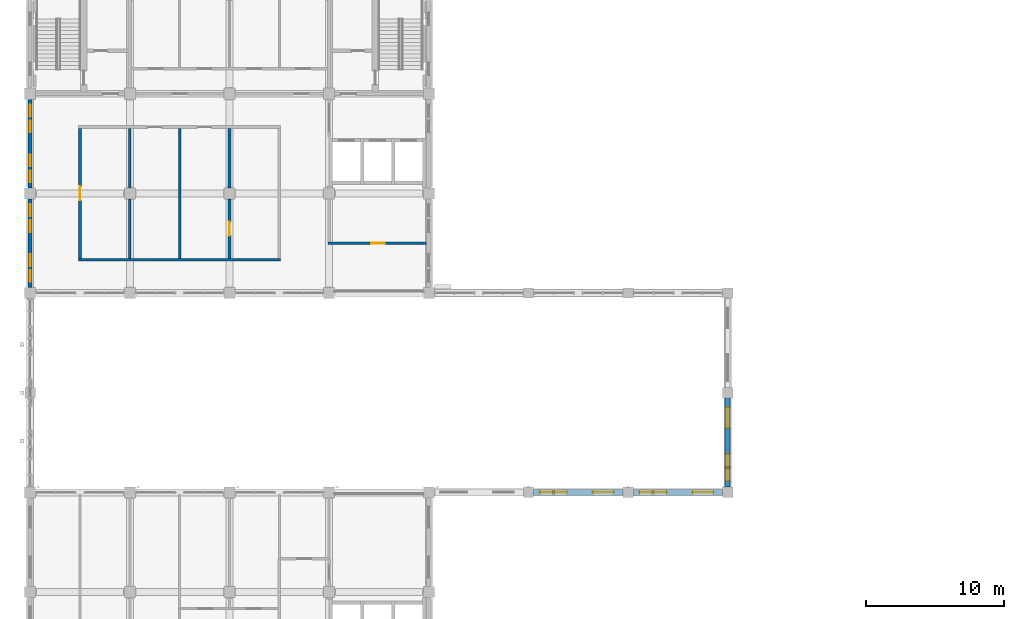
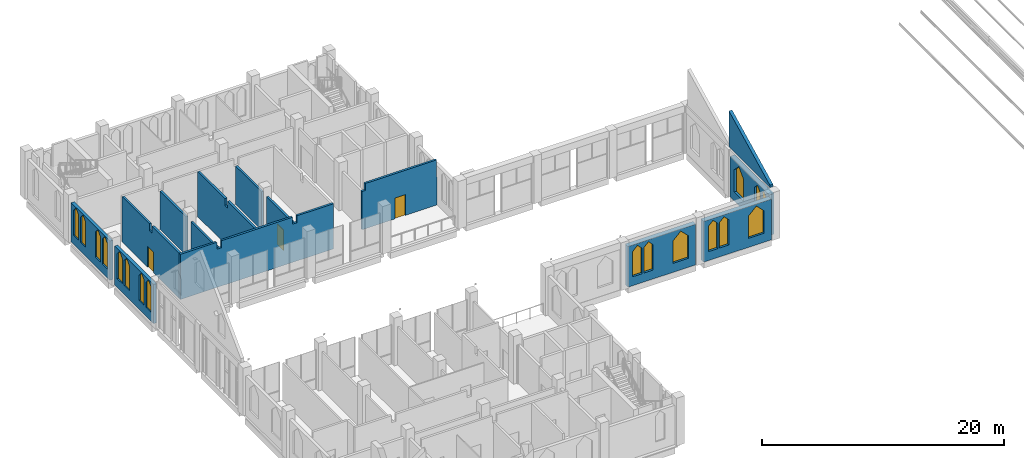
# One storey, part 21 of 31: 17 windows, 14 walls, 3 doors, 20 openings.
"""IFC4 building model written with IfcOpenShell, lengths in metres."""

from ifc_helpers import new_model, si_unit, direction, frame, frame_2d, origin, place, context, subcontext, project, spatial, polyline, rectangle, outline, extrude, material, layer, layer_set, type_object, element, fill, save


model = new_model("IFC4")

# Units and contexts
model_context = context("Model", 3, precision=1e-05, world=origin(), true_north=direction((0.0, 1.0)))
body_context = subcontext(model_context, "Body", "Model", "MODEL_VIEW")
ifc_project = project(units=[si_unit("LENGTHUNIT", "METRE"), si_unit("AREAUNIT", "SQUARE_METRE"), si_unit("VOLUMEUNIT", "CUBIC_METRE"), si_unit("PLANEANGLEUNIT", "RADIAN"), si_unit("MASSUNIT", "GRAM", prefix="KILO")], contexts=[model_context])

# Site, building, storey
site_placement = place(None, origin())
site = spatial("IfcSite", under=ifc_project, at=site_placement, CompositionType="ELEMENT")
building_placement = place(site_placement, origin())
building = spatial("IfcBuilding", under=site, at=building_placement, Name="Silangan Lancet Faculty of Sciences", CompositionType="ELEMENT")
storey_placement = place(building_placement, frame((0.0, 0.0, 36.0)))
storey = spatial("IfcBuildingStorey", under=building, at=storey_placement, Name="L07", CompositionType="ELEMENT", Elevation=36.0)

# Wall, openings, windows
ifc_material_1 = material(Name="Concrete C40/50 precast", Category="concrete")
ifc_layer_1 = layer(ifc_material_1, 0.300048828125)
ifc_layer_set_1 = layer_set([ifc_layer_1], Name="Concrete C40/50 precast")
wall_type_1 = type_object("IfcWallType", Name="EW1 Precast cladding wall", PredefinedType="STANDARD", material=ifc_layer_set_1)
wall_1_placement = place(storey_placement, frame((0.0, 36.39990234375, 0.0), z_axis=(0.0, 0.0, 1.0), x_axis=(0.0, 1.0, 0.0)))
wall_1 = element("IfcWall", 1, at=wall_1_placement, inside=storey, type_object=wall_type_1, Name="EW-L07-W-NT-00", PredefinedType="STANDARD", context=body_context, shape_type="SweptSolid", body=[
    extrude(rectangle(XDim=6.400146484375, YDim=0.300048828125, at=frame_2d((3.2001953125, 0.0))), origin(), (0.0, 0.0, 1.0), 3.949951171875),
])
opening_1_placement = place(wall_1_placement, frame((0.39990234375, 0.0, 0.89990234375)))
opening_1 = element("IfcOpeningElement", 2, at=opening_1_placement, cuts=wall_1, Name="Opening W19", PredefinedType="OPENING", context=body_context, shape_type="SweptSolid", body=[
    extrude(outline(polyline([(0.0, 0.0), (0.85009765625, 0.0), (0.85009765625, 2.550048828125), (0.425048828125, 3.0), (0.0, 2.550048828125), (0.0, 0.0)])), frame((0.0, 0.159912109375, 0.0), z_axis=(0.0, -1.0, 0.0), x_axis=(1.0, 0.0, 0.0)), (0.0, 0.0, 1.0), 0.320068359375),
])
opening_2_placement = place(wall_1_placement, frame((1.550048828125, 0.0, 0.89990234375)))
opening_2 = element("IfcOpeningElement", 3, at=opening_2_placement, cuts=wall_1, Name="Opening W19", PredefinedType="OPENING", context=body_context, shape_type="SweptSolid", body=[
    extrude(outline(polyline([(0.0, 0.0), (0.85009765625, 0.0), (0.85009765625, 2.550048828125), (0.425048828125, 3.0), (0.0, 2.550048828125), (0.0, 0.0)])), frame((0.0, 0.159912109375, 0.0), z_axis=(0.0, -1.0, 0.0), x_axis=(1.0, 0.0, 0.0)), (0.0, 0.0, 1.0), 0.320068359375),
])
opening_3_placement = place(wall_1_placement, frame((4.0, 0.0, 0.89990234375)))
opening_3 = element("IfcOpeningElement", 4, at=opening_3_placement, cuts=wall_1, Name="Opening W19", PredefinedType="OPENING", context=body_context, shape_type="SweptSolid", body=[
    extrude(outline(polyline([(0.0, 0.0), (0.85009765625, 0.0), (0.85009765625, 2.550048828125), (0.425048828125, 3.0), (0.0, 2.550048828125), (0.0, 0.0)])), frame((0.0, 0.159912109375, 0.0), z_axis=(0.0, -1.0, 0.0), x_axis=(1.0, 0.0, 0.0)), (0.0, 0.0, 1.0), 0.320068359375),
])
opening_4_placement = place(wall_1_placement, frame((5.14990234375, 0.0, 0.89990234375)))
opening_4 = element("IfcOpeningElement", 5, at=opening_4_placement, cuts=wall_1, Name="Opening W19", PredefinedType="OPENING", context=body_context, shape_type="SweptSolid", body=[
    extrude(outline(polyline([(0.0, 0.0), (0.85009765625, 0.0), (0.85009765625, 2.550048828125), (0.425048828125, 3.0), (0.0, 2.550048828125), (0.0, 0.0)])), frame((0.0, 0.159912109375, 0.0), z_axis=(0.0, -1.0, 0.0), x_axis=(1.0, 0.0, 0.0)), (0.0, 0.0, 1.0), 0.320068359375),
])
ifc_material_2 = material(Name="Aluminium frame, laminated double glazing", Category="aluminium")
window_type_1 = type_object("IfcWindowType", Name="W19 Lancet window 850 x 3000", PartitioningType="SINGLE_PANEL", PredefinedType="WINDOW", material=ifc_material_2)
window_1_placement = place(opening_1_placement, origin())
window_1 = element("IfcWindow", 6, at=window_1_placement, inside=storey, type_object=window_type_1, Name="WIN-L07-W-NT-00a1", OverallHeight=3.0, OverallWidth=0.85009765625, PartitioningType="SINGLE_PANEL", PredefinedType="WINDOW", context=body_context, shape_type="SweptSolid", body=[
    extrude(outline(polyline([(0.0, 0.0), (0.85009765625, 0.0), (0.85009765625, 2.550048828125), (0.425048828125, 3.0), (0.0, 2.550048828125), (0.0, 0.0)])), frame((0.0, 0.030029296875, 0.0), z_axis=(0.0, -1.0, 0.0), x_axis=(1.0, 0.0, 0.0)), (0.0, 0.0, 1.0), 0.06005859375),
])
fill(opening_1, window_1)
window_2_placement = place(opening_2_placement, origin())
window_2 = element("IfcWindow", 7, at=window_2_placement, inside=storey, type_object=window_type_1, Name="WIN-L07-W-NT-00a2", OverallHeight=3.0, OverallWidth=0.85009765625, PartitioningType="SINGLE_PANEL", PredefinedType="WINDOW", context=body_context, shape_type="SweptSolid", body=[
    extrude(outline(polyline([(0.0, 0.0), (0.85009765625, 0.0), (0.85009765625, 2.550048828125), (0.425048828125, 3.0), (0.0, 2.550048828125), (0.0, 0.0)])), frame((0.0, 0.030029296875, 0.0), z_axis=(0.0, -1.0, 0.0), x_axis=(1.0, 0.0, 0.0)), (0.0, 0.0, 1.0), 0.06005859375),
])
fill(opening_2, window_2)
window_3_placement = place(opening_3_placement, origin())
window_3 = element("IfcWindow", 8, at=window_3_placement, inside=storey, type_object=window_type_1, Name="WIN-L07-W-NT-00b1", OverallHeight=3.0, OverallWidth=0.85009765625, PartitioningType="SINGLE_PANEL", PredefinedType="WINDOW", context=body_context, shape_type="SweptSolid", body=[
    extrude(outline(polyline([(0.0, 0.0), (0.85009765625, 0.0), (0.85009765625, 2.550048828125), (0.425048828125, 3.0), (0.0, 2.550048828125), (0.0, 0.0)])), frame((0.0, 0.030029296875, 0.0), z_axis=(0.0, -1.0, 0.0), x_axis=(1.0, 0.0, 0.0)), (0.0, 0.0, 1.0), 0.06005859375),
])
fill(opening_3, window_3)
window_4_placement = place(opening_4_placement, origin())
window_4 = element("IfcWindow", 9, at=window_4_placement, inside=storey, type_object=window_type_1, Name="WIN-L07-W-NT-00b2", OverallHeight=3.0, OverallWidth=0.85009765625, PartitioningType="SINGLE_PANEL", PredefinedType="WINDOW", context=body_context, shape_type="SweptSolid", body=[
    extrude(outline(polyline([(0.0, 0.0), (0.85009765625, 0.0), (0.85009765625, 2.550048828125), (0.425048828125, 3.0), (0.0, 2.550048828125), (0.0, 0.0)])), frame((0.0, 0.030029296875, 0.0), z_axis=(0.0, -1.0, 0.0), x_axis=(1.0, 0.0, 0.0)), (0.0, 0.0, 1.0), 0.06005859375),
])
fill(opening_4, window_4)

wall_2_placement = place(storey_placement, frame((0.0, 43.60009765625, 0.0), z_axis=(0.0, 0.0, 1.0), x_axis=(0.0, 1.0, 0.0)))
wall_2 = element("IfcWall", 10, at=wall_2_placement, inside=storey, type_object=wall_type_1, Name="EW-L07-W-NT-01", PredefinedType="STANDARD", context=body_context, shape_type="SweptSolid", body=[
    extrude(rectangle(XDim=6.39990234375, YDim=0.300048828125, at=frame_2d((3.199951171875, 0.0))), origin(), (0.0, 0.0, 1.0), 3.949951171875),
])
opening_5_placement = place(wall_2_placement, frame((0.39990234375, 0.0, 0.89990234375)))
opening_5 = element("IfcOpeningElement", 11, at=opening_5_placement, cuts=wall_2, Name="Opening W19", PredefinedType="OPENING", context=body_context, shape_type="SweptSolid", body=[
    extrude(outline(polyline([(0.0, 0.0), (0.85009765625, 0.0), (0.85009765625, 2.550048828125), (0.425048828125, 3.0), (0.0, 2.550048828125), (0.0, 0.0)])), frame((0.0, 0.159912109375, 0.0), z_axis=(0.0, -1.0, 0.0), x_axis=(1.0, 0.0, 0.0)), (0.0, 0.0, 1.0), 0.320068359375),
])
opening_6_placement = place(wall_2_placement, frame((1.550048828125, 0.0, 0.89990234375)))
opening_6 = element("IfcOpeningElement", 12, at=opening_6_placement, cuts=wall_2, Name="Opening W19", PredefinedType="OPENING", context=body_context, shape_type="SweptSolid", body=[
    extrude(outline(polyline([(0.0, 0.0), (0.85009765625, 0.0), (0.85009765625, 2.550048828125), (0.425048828125, 3.0), (0.0, 2.550048828125), (0.0, 0.0)])), frame((0.0, 0.159912109375, 0.0), z_axis=(0.0, -1.0, 0.0), x_axis=(1.0, 0.0, 0.0)), (0.0, 0.0, 1.0), 0.320068359375),
])
opening_7_placement = place(wall_2_placement, frame((4.0, 0.0, 0.89990234375)))
opening_7 = element("IfcOpeningElement", 13, at=opening_7_placement, cuts=wall_2, Name="Opening W19", PredefinedType="OPENING", context=body_context, shape_type="SweptSolid", body=[
    extrude(outline(polyline([(0.0, 0.0), (0.85009765625, 0.0), (0.85009765625, 2.550048828125), (0.425048828125, 3.0), (0.0, 2.550048828125), (0.0, 0.0)])), frame((0.0, 0.159912109375, 0.0), z_axis=(0.0, -1.0, 0.0), x_axis=(1.0, 0.0, 0.0)), (0.0, 0.0, 1.0), 0.320068359375),
])
opening_8_placement = place(wall_2_placement, frame((5.14990234375, 0.0, 0.89990234375)))
opening_8 = element("IfcOpeningElement", 14, at=opening_8_placement, cuts=wall_2, Name="Opening W19", PredefinedType="OPENING", context=body_context, shape_type="SweptSolid", body=[
    extrude(outline(polyline([(0.0, 0.0), (0.85009765625, 0.0), (0.85009765625, 2.550048828125), (0.425048828125, 3.0), (0.0, 2.550048828125), (0.0, 0.0)])), frame((0.0, 0.159912109375, 0.0), z_axis=(0.0, -1.0, 0.0), x_axis=(1.0, 0.0, 0.0)), (0.0, 0.0, 1.0), 0.320068359375),
])
window_5_placement = place(opening_5_placement, origin())
window_5 = element("IfcWindow", 15, at=window_5_placement, inside=storey, type_object=window_type_1, Name="WIN-L07-W-NT-01a1", OverallHeight=3.0, OverallWidth=0.85009765625, PartitioningType="SINGLE_PANEL", PredefinedType="WINDOW", context=body_context, shape_type="SweptSolid", body=[
    extrude(outline(polyline([(0.0, 0.0), (0.85009765625, 0.0), (0.85009765625, 2.550048828125), (0.425048828125, 3.0), (0.0, 2.550048828125), (0.0, 0.0)])), frame((0.0, 0.030029296875, 0.0), z_axis=(0.0, -1.0, 0.0), x_axis=(1.0, 0.0, 0.0)), (0.0, 0.0, 1.0), 0.06005859375),
])
fill(opening_5, window_5)
window_6_placement = place(opening_6_placement, origin())
window_6 = element("IfcWindow", 16, at=window_6_placement, inside=storey, type_object=window_type_1, Name="WIN-L07-W-NT-01a2", OverallHeight=3.0, OverallWidth=0.85009765625, PartitioningType="SINGLE_PANEL", PredefinedType="WINDOW", context=body_context, shape_type="SweptSolid", body=[
    extrude(outline(polyline([(0.0, 0.0), (0.85009765625, 0.0), (0.85009765625, 2.550048828125), (0.425048828125, 3.0), (0.0, 2.550048828125), (0.0, 0.0)])), frame((0.0, 0.030029296875, 0.0), z_axis=(0.0, -1.0, 0.0), x_axis=(1.0, 0.0, 0.0)), (0.0, 0.0, 1.0), 0.06005859375),
])
fill(opening_6, window_6)
window_7_placement = place(opening_7_placement, origin())
window_7 = element("IfcWindow", 17, at=window_7_placement, inside=storey, type_object=window_type_1, Name="WIN-L07-W-NT-01b1", OverallHeight=3.0, OverallWidth=0.85009765625, PartitioningType="SINGLE_PANEL", PredefinedType="WINDOW", context=body_context, shape_type="SweptSolid", body=[
    extrude(outline(polyline([(0.0, 0.0), (0.85009765625, 0.0), (0.85009765625, 2.550048828125), (0.425048828125, 3.0), (0.0, 2.550048828125), (0.0, 0.0)])), frame((0.0, 0.030029296875, 0.0), z_axis=(0.0, -1.0, 0.0), x_axis=(1.0, 0.0, 0.0)), (0.0, 0.0, 1.0), 0.06005859375),
])
fill(opening_7, window_7)
window_8_placement = place(opening_8_placement, origin())
window_8 = element("IfcWindow", 18, at=window_8_placement, inside=storey, type_object=window_type_1, Name="WIN-L07-W-NT-01b2", OverallHeight=3.0, OverallWidth=0.85009765625, PartitioningType="SINGLE_PANEL", PredefinedType="WINDOW", context=body_context, shape_type="SweptSolid", body=[
    extrude(outline(polyline([(0.0, 0.0), (0.85009765625, 0.0), (0.85009765625, 2.550048828125), (0.425048828125, 3.0), (0.0, 2.550048828125), (0.0, 0.0)])), frame((0.0, 0.030029296875, 0.0), z_axis=(0.0, -1.0, 0.0), x_axis=(1.0, 0.0, 0.0)), (0.0, 0.0, 1.0), 0.06005859375),
])
fill(opening_8, window_8)

ifc_material_3 = material(Name="Concrete C40/50", Category="concrete")
ifc_layer_2 = layer(ifc_material_3, 0.449951171875)
ifc_layer_set_2 = layer_set([ifc_layer_2], Name="Concrete C40/50")
wall_type_2 = type_object("IfcWallType", Name="EW8 Clerestory wall with deep reveals", PredefinedType="STANDARD", material=ifc_layer_set_2)
wall_3_placement = place(storey_placement, frame((36.375, 21.60009765625, 0.0), z_axis=(0.0, 0.0, 1.0), x_axis=(1.0, 0.0, 0.0)))
wall_3 = element("IfcWall", 19, at=wall_3_placement, inside=storey, type_object=wall_type_2, Name="EW-L07-S-NAVE-CL-01", PredefinedType="STANDARD", context=body_context, shape_type="SweptSolid", body=[
    extrude(rectangle(XDim=6.449951171875, YDim=0.449951171875, at=frame_2d((3.22509765625, 0.0))), origin(), (0.0, 0.0, 1.0), 4.10009765625),
])
opening_9_placement = place(wall_3_placement, frame((0.449951171875, 0.0, 0.89990234375)))
opening_9 = element("IfcOpeningElement", 20, at=opening_9_placement, cuts=wall_3, Name="Opening W17", PredefinedType="OPENING", context=body_context, shape_type="SweptSolid", body=[
    extrude(outline(polyline([(0.0, 0.0), (0.89990234375, 0.0), (0.89990234375, 2.550048828125), (0.449951171875, 3.0), (0.0, 2.550048828125), (0.0, 0.0)])), frame((0.0, 0.23486328125, 0.0), z_axis=(0.0, -1.0, 0.0), x_axis=(1.0, 0.0, 0.0)), (0.0, 0.0, 1.0), 0.469970703125),
])
opening_10_placement = place(wall_3_placement, frame((1.5, 0.0, 0.89990234375)))
opening_10 = element("IfcOpeningElement", 21, at=opening_10_placement, cuts=wall_3, Name="Opening W17", PredefinedType="OPENING", context=body_context, shape_type="SweptSolid", body=[
    extrude(outline(polyline([(0.0, 0.0), (0.89990234375, 0.0), (0.89990234375, 2.550048828125), (0.449951171875, 3.0), (0.0, 2.550048828125), (0.0, 0.0)])), frame((0.0, 0.23486328125, 0.0), z_axis=(0.0, -1.0, 0.0), x_axis=(1.0, 0.0, 0.0)), (0.0, 0.0, 1.0), 0.469970703125),
])
opening_11_placement = place(wall_3_placement, frame((4.27490234375, 0.0, 0.89990234375)))
opening_11 = element("IfcOpeningElement", 22, at=opening_11_placement, cuts=wall_3, Name="Opening W18", PredefinedType="OPENING", context=body_context, shape_type="SweptSolid", body=[
    extrude(outline(polyline([(0.0, 0.0), (1.5, 0.0), (1.5, 2.25), (0.75, 3.0), (0.0, 2.25), (0.0, 0.0)])), frame((0.0, 0.23486328125, 0.0), z_axis=(0.0, -1.0, 0.0), x_axis=(1.0, 0.0, 0.0)), (0.0, 0.0, 1.0), 0.469970703125),
])
ifc_material_4 = material(Name="Aluminium frame, laminated double glazing", Category="aluminium")
window_type_2 = type_object("IfcWindowType", Name="W17 Lancet window 900 x 3000", PartitioningType="SINGLE_PANEL", PredefinedType="WINDOW", material=ifc_material_4)
window_9_placement = place(opening_9_placement, origin())
window_9 = element("IfcWindow", 23, at=window_9_placement, inside=storey, type_object=window_type_2, Name="WIN-L07-S-NAVE-CL-01a1", OverallHeight=3.0, OverallWidth=0.89990234375, PartitioningType="SINGLE_PANEL", PredefinedType="WINDOW", context=body_context, shape_type="SweptSolid", body=[
    extrude(outline(polyline([(0.0, 0.0), (0.89990234375, 0.0), (0.89990234375, 2.550048828125), (0.449951171875, 3.0), (0.0, 2.550048828125), (0.0, 0.0)])), frame((0.0, 0.030029296875, 0.0), z_axis=(0.0, -1.0, 0.0), x_axis=(1.0, 0.0, 0.0)), (0.0, 0.0, 1.0), 0.06005859375),
])
fill(opening_9, window_9)
window_10_placement = place(opening_10_placement, origin())
window_10 = element("IfcWindow", 24, at=window_10_placement, inside=storey, type_object=window_type_2, Name="WIN-L07-S-NAVE-CL-01a2", OverallHeight=3.0, OverallWidth=0.89990234375, PartitioningType="SINGLE_PANEL", PredefinedType="WINDOW", context=body_context, shape_type="SweptSolid", body=[
    extrude(outline(polyline([(0.0, 0.0), (0.89990234375, 0.0), (0.89990234375, 2.550048828125), (0.449951171875, 3.0), (0.0, 2.550048828125), (0.0, 0.0)])), frame((0.0, 0.030029296875, 0.0), z_axis=(0.0, -1.0, 0.0), x_axis=(1.0, 0.0, 0.0)), (0.0, 0.0, 1.0), 0.06005859375),
])
fill(opening_10, window_10)
ifc_material_5 = material(Name="Aluminium storm louvre blades", Category="aluminium")
window_type_3 = type_object("IfcWindowType", Name="W18 Storm louvre lancet 1500 x 3000", PartitioningType="SINGLE_PANEL", PredefinedType="WINDOW", material=ifc_material_5)
window_11_placement = place(opening_11_placement, origin())
window_11 = element("IfcWindow", 25, at=window_11_placement, inside=storey, type_object=window_type_3, Name="WIN-L07-S-NAVE-CL-01b", OverallHeight=3.0, OverallWidth=1.5, PartitioningType="SINGLE_PANEL", PredefinedType="WINDOW", context=body_context, shape_type="SweptSolid", body=[
    extrude(outline(polyline([(0.0, 0.0), (1.5, 0.0), (1.5, 2.25), (0.75, 3.0), (0.0, 2.25), (0.0, 0.0)])), frame((0.0, 0.030029296875, 0.0), z_axis=(0.0, -1.0, 0.0), x_axis=(1.0, 0.0, 0.0)), (0.0, 0.0, 1.0), 0.06005859375),
])
fill(opening_11, window_11)

wall_4_placement = place(storey_placement, frame((43.574951171875, 21.60009765625, 0.0), z_axis=(0.0, 0.0, 1.0), x_axis=(1.0, 0.0, 0.0)))
wall_4 = element("IfcWall", 26, at=wall_4_placement, inside=storey, type_object=wall_type_2, Name="EW-L07-S-NAVE-CL-02", PredefinedType="STANDARD", context=body_context, shape_type="SweptSolid", body=[
    extrude(rectangle(XDim=6.449951171875, YDim=0.449951171875, at=frame_2d((3.22509765625, 0.0))), origin(), (0.0, 0.0, 1.0), 4.10009765625),
])
opening_12_placement = place(wall_4_placement, frame((0.449951171875, 0.0, 0.89990234375)))
opening_12 = element("IfcOpeningElement", 27, at=opening_12_placement, cuts=wall_4, Name="Opening W17", PredefinedType="OPENING", context=body_context, shape_type="SweptSolid", body=[
    extrude(outline(polyline([(0.0, 0.0), (0.89990234375, 0.0), (0.89990234375, 2.550048828125), (0.449951171875, 3.0), (0.0, 2.550048828125), (0.0, 0.0)])), frame((0.0, 0.23486328125, 0.0), z_axis=(0.0, -1.0, 0.0), x_axis=(1.0, 0.0, 0.0)), (0.0, 0.0, 1.0), 0.469970703125),
])
opening_13_placement = place(wall_4_placement, frame((1.5, 0.0, 0.89990234375)))
opening_13 = element("IfcOpeningElement", 28, at=opening_13_placement, cuts=wall_4, Name="Opening W17", PredefinedType="OPENING", context=body_context, shape_type="SweptSolid", body=[
    extrude(outline(polyline([(0.0, 0.0), (0.89990234375, 0.0), (0.89990234375, 2.550048828125), (0.449951171875, 3.0), (0.0, 2.550048828125), (0.0, 0.0)])), frame((0.0, 0.23486328125, 0.0), z_axis=(0.0, -1.0, 0.0), x_axis=(1.0, 0.0, 0.0)), (0.0, 0.0, 1.0), 0.469970703125),
])
opening_14_placement = place(wall_4_placement, frame((4.27490234375, 0.0, 0.89990234375)))
opening_14 = element("IfcOpeningElement", 29, at=opening_14_placement, cuts=wall_4, Name="Opening W18", PredefinedType="OPENING", context=body_context, shape_type="SweptSolid", body=[
    extrude(outline(polyline([(0.0, 0.0), (1.5, 0.0), (1.5, 2.25), (0.75, 3.0), (0.0, 2.25), (0.0, 0.0)])), frame((0.0, 0.23486328125, 0.0), z_axis=(0.0, -1.0, 0.0), x_axis=(1.0, 0.0, 0.0)), (0.0, 0.0, 1.0), 0.469970703125),
])
window_12_placement = place(opening_12_placement, origin())
window_12 = element("IfcWindow", 30, at=window_12_placement, inside=storey, type_object=window_type_2, Name="WIN-L07-S-NAVE-CL-02a1", OverallHeight=3.0, OverallWidth=0.89990234375, PartitioningType="SINGLE_PANEL", PredefinedType="WINDOW", context=body_context, shape_type="SweptSolid", body=[
    extrude(outline(polyline([(0.0, 0.0), (0.89990234375, 0.0), (0.89990234375, 2.550048828125), (0.449951171875, 3.0), (0.0, 2.550048828125), (0.0, 0.0)])), frame((0.0, 0.030029296875, 0.0), z_axis=(0.0, -1.0, 0.0), x_axis=(1.0, 0.0, 0.0)), (0.0, 0.0, 1.0), 0.06005859375),
])
fill(opening_12, window_12)
window_13_placement = place(opening_13_placement, origin())
window_13 = element("IfcWindow", 31, at=window_13_placement, inside=storey, type_object=window_type_2, Name="WIN-L07-S-NAVE-CL-02a2", OverallHeight=3.0, OverallWidth=0.89990234375, PartitioningType="SINGLE_PANEL", PredefinedType="WINDOW", context=body_context, shape_type="SweptSolid", body=[
    extrude(outline(polyline([(0.0, 0.0), (0.89990234375, 0.0), (0.89990234375, 2.550048828125), (0.449951171875, 3.0), (0.0, 2.550048828125), (0.0, 0.0)])), frame((0.0, 0.030029296875, 0.0), z_axis=(0.0, -1.0, 0.0), x_axis=(1.0, 0.0, 0.0)), (0.0, 0.0, 1.0), 0.06005859375),
])
fill(opening_13, window_13)
window_14_placement = place(opening_14_placement, origin())
window_14 = element("IfcWindow", 32, at=window_14_placement, inside=storey, type_object=window_type_3, Name="WIN-L07-S-NAVE-CL-02b", OverallHeight=3.0, OverallWidth=1.5, PartitioningType="SINGLE_PANEL", PredefinedType="WINDOW", context=body_context, shape_type="SweptSolid", body=[
    extrude(outline(polyline([(0.0, 0.0), (1.5, 0.0), (1.5, 2.25), (0.75, 3.0), (0.0, 2.25), (0.0, 0.0)])), frame((0.0, 0.030029296875, 0.0), z_axis=(0.0, -1.0, 0.0), x_axis=(1.0, 0.0, 0.0)), (0.0, 0.0, 1.0), 0.06005859375),
])
fill(opening_14, window_14)

wall_5_placement = place(storey_placement, frame((50.39990234375, 21.97509765625, 0.0), z_axis=(0.0, 0.0, 1.0), x_axis=(0.0, 1.0, 0.0)))
wall_5 = element("IfcWall", 33, at=wall_5_placement, inside=storey, type_object=wall_type_2, Name="EW-L07-E-NAVE-00", PredefinedType="STANDARD", context=body_context, shape_type="SweptSolid", body=[
    extrude(rectangle(XDim=6.449951171875, YDim=0.449951171875, at=frame_2d((3.22509765625, 0.0))), origin(), (0.0, 0.0, 1.0), 4.10009765625),
])
opening_15_placement = place(wall_5_placement, frame((0.449951171875, 0.0, 0.89990234375)))
opening_15 = element("IfcOpeningElement", 34, at=opening_15_placement, cuts=wall_5, Name="Opening W17", PredefinedType="OPENING", context=body_context, shape_type="SweptSolid", body=[
    extrude(outline(polyline([(0.0, 0.0), (0.89990234375, 0.0), (0.89990234375, 2.550048828125), (0.449951171875, 3.0), (0.0, 2.550048828125), (0.0, 0.0)])), frame((0.0, 0.23486328125, 0.0), z_axis=(0.0, -1.0, 0.0), x_axis=(1.0, 0.0, 0.0)), (0.0, 0.0, 1.0), 0.469970703125),
])
opening_16_placement = place(wall_5_placement, frame((1.5, 0.0, 0.89990234375)))
opening_16 = element("IfcOpeningElement", 35, at=opening_16_placement, cuts=wall_5, Name="Opening W17", PredefinedType="OPENING", context=body_context, shape_type="SweptSolid", body=[
    extrude(outline(polyline([(0.0, 0.0), (0.89990234375, 0.0), (0.89990234375, 2.550048828125), (0.449951171875, 3.0), (0.0, 2.550048828125), (0.0, 0.0)])), frame((0.0, 0.23486328125, 0.0), z_axis=(0.0, -1.0, 0.0), x_axis=(1.0, 0.0, 0.0)), (0.0, 0.0, 1.0), 0.469970703125),
])
opening_17_placement = place(wall_5_placement, frame((4.27490234375, 0.0, 0.89990234375)))
opening_17 = element("IfcOpeningElement", 36, at=opening_17_placement, cuts=wall_5, Name="Opening W18", PredefinedType="OPENING", context=body_context, shape_type="SweptSolid", body=[
    extrude(outline(polyline([(0.0, 0.0), (1.5, 0.0), (1.5, 2.25), (0.75, 3.0), (0.0, 2.25), (0.0, 0.0)])), frame((0.0, 0.23486328125, 0.0), z_axis=(0.0, -1.0, 0.0), x_axis=(1.0, 0.0, 0.0)), (0.0, 0.0, 1.0), 0.469970703125),
])
window_15_placement = place(opening_15_placement, origin())
window_15 = element("IfcWindow", 37, at=window_15_placement, inside=storey, type_object=window_type_2, Name="WIN-L07-E-NAVE-00a1", OverallHeight=3.0, OverallWidth=0.89990234375, PartitioningType="SINGLE_PANEL", PredefinedType="WINDOW", context=body_context, shape_type="SweptSolid", body=[
    extrude(outline(polyline([(0.0, 0.0), (0.89990234375, 0.0), (0.89990234375, 2.550048828125), (0.449951171875, 3.0), (0.0, 2.550048828125), (0.0, 0.0)])), frame((0.0, 0.030029296875, 0.0), z_axis=(0.0, -1.0, 0.0), x_axis=(1.0, 0.0, 0.0)), (0.0, 0.0, 1.0), 0.06005859375),
])
fill(opening_15, window_15)
window_16_placement = place(opening_16_placement, origin())
window_16 = element("IfcWindow", 38, at=window_16_placement, inside=storey, type_object=window_type_2, Name="WIN-L07-E-NAVE-00a2", OverallHeight=3.0, OverallWidth=0.89990234375, PartitioningType="SINGLE_PANEL", PredefinedType="WINDOW", context=body_context, shape_type="SweptSolid", body=[
    extrude(outline(polyline([(0.0, 0.0), (0.89990234375, 0.0), (0.89990234375, 2.550048828125), (0.449951171875, 3.0), (0.0, 2.550048828125), (0.0, 0.0)])), frame((0.0, 0.030029296875, 0.0), z_axis=(0.0, -1.0, 0.0), x_axis=(1.0, 0.0, 0.0)), (0.0, 0.0, 1.0), 0.06005859375),
])
fill(opening_16, window_16)
window_17_placement = place(opening_17_placement, origin())
window_17 = element("IfcWindow", 39, at=window_17_placement, inside=storey, type_object=window_type_3, Name="WIN-L07-E-NAVE-00b", OverallHeight=3.0, OverallWidth=1.5, PartitioningType="SINGLE_PANEL", PredefinedType="WINDOW", context=body_context, shape_type="SweptSolid", body=[
    extrude(outline(polyline([(0.0, 0.0), (1.5, 0.0), (1.5, 2.25), (0.75, 3.0), (0.0, 2.25), (0.0, 0.0)])), frame((0.0, 0.030029296875, 0.0), z_axis=(0.0, -1.0, 0.0), x_axis=(1.0, 0.0, 0.0)), (0.0, 0.0, 1.0), 0.06005859375),
])
fill(opening_17, window_17)

# Walls
ifc_material_6 = material(Name="Concrete C40/50", Category="concrete")
ifc_layer_3 = layer(ifc_material_6, 0.300048828125)
ifc_layer_set_3 = layer_set([ifc_layer_3], Name="Concrete C40/50")
wall_type_3 = type_object("IfcWallType", Name="EW9 Nave end wall under the sawtooth roof", PredefinedType="POLYGONAL", material=ifc_layer_set_3)
wall_6_placement = place(storey_placement, frame((50.39990234375, 22.0, 4.800048828125), z_axis=(0.0, 0.0, 1.0), x_axis=(0.0, 1.0, 0.0)))
element("IfcWall", 40, at=wall_6_placement, inside=storey, type_object=wall_type_3, Name="NEND-E1", PredefinedType="POLYGONAL", context=body_context, shape_type="SweptSolid", body=[
    extrude(outline(polyline([(0.0, 0.0), (6.77001953125, 0.0), (6.77001953125, 3.61962890625), (0.0, 0.234619140625), (0.0, 0.0)])), frame((0.0, 0.14990234375, 0.0), z_axis=(0.0, -1.0, 0.0), x_axis=(1.0, 0.0, 0.0)), (0.0, 0.0, 1.0), 0.300048828125),
])
ifc_material_7 = material(Name="Hollow block masonry fm 7 MPa", Category="masonry")
ifc_layer_4 = layer(ifc_material_7, 0.199951171875)
ifc_layer_set_4 = layer_set([ifc_layer_4], Name="Hollow block masonry fm 7 MPa")
wall_type_4 = type_object("IfcWallType", Name="Interior wall PW1 Corridor wall CHB 200", PredefinedType="PARTITIONING", material=ifc_layer_set_4)
wall_7_placement = place(storey_placement, frame((3.5, 38.39990234375, 0.0), z_axis=(0.0, 0.0, 1.0), x_axis=(1.0, 0.0, 0.0)))
element("IfcWall", 41, at=wall_7_placement, inside=storey, type_object=wall_type_4, Name="Corridor wall CHB 200", PredefinedType="PARTITIONING", context=body_context, shape_type="SweptSolid", body=[
    extrude(outline(polyline([(0.0, 0.0), (14.60009765625, 0.0), (14.60009765625, 4.550048828125), (11.125, 4.550048828125), (11.125, 3.85009765625), (10.675048828125, 3.85009765625), (10.675048828125, 4.550048828125), (3.925048828125, 4.550048828125), (3.925048828125, 3.85009765625), (3.47509765625, 3.85009765625), (3.47509765625, 4.550048828125), (0.0, 4.550048828125), (0.0, 0.0)])), frame((0.0, 0.10009765625, 0.0), z_axis=(0.0, -1.0, 0.0), x_axis=(1.0, 0.0, 0.0)), (0.0, 0.0, 1.0), 0.199951171875),
])

# Wall, opening, door
wall_8_placement = place(storey_placement, frame((21.5, 39.60009765625, 0.0), z_axis=(0.0, 0.0, 1.0), x_axis=(1.0, 0.0, 0.0)))
wall_8 = element("IfcWall", 42, at=wall_8_placement, inside=storey, type_object=wall_type_4, Name="Corridor wall CHB 200", PredefinedType="PARTITIONING", context=body_context, shape_type="SweptSolid", body=[
    extrude(outline(polyline([(0.0, 0.0), (7.14990234375, 0.0), (7.10009765625, 4.550048828125), (0.324951171875, 4.550048828125), (0.324951171875, 3.85009765625), (0.0, 3.85009765625), (0.0, 0.0)])), frame((0.0, 0.10009765625, 0.0), z_axis=(0.0, -1.0, 0.0), x_axis=(1.0, 0.0, 0.0)), (0.0, 0.0, 1.0), 0.199951171875),
])
opening_18_placement = place(wall_8_placement, frame((3.125, 0.0, 0.0)))
opening_18 = element("IfcOpeningElement", 43, at=opening_18_placement, cuts=wall_8, Name="Opening L07-027", PredefinedType="OPENING", context=body_context, shape_type="SweptSolid", body=[
    extrude(rectangle(XDim=1.0, YDim=2.10009765625, at=frame_2d((0.5, 1.050048828125))), frame((0.0, 0.10986328125, 0.0), z_axis=(0.0, -1.0, 0.0), x_axis=(1.0, 0.0, 0.0)), (0.0, 0.0, 1.0), 0.219970703125),
])
ifc_material_8 = material(Name="Steel fire door set", Category="steel")
door_type = type_object("IfcDoorType", Name="Door D1 Single leaf fire door 1000 x 2100", OperationType="SINGLE_SWING_LEFT", PredefinedType="DOOR", material=ifc_material_8)
door_1_placement = place(opening_18_placement, origin())
door_1 = element("IfcDoor", 44, at=door_1_placement, inside=storey, type_object=door_type, Name="Single leaf fire door 1000 x 2100", OperationType="SINGLE_SWING_LEFT", OverallHeight=2.10009765625, OverallWidth=1.0, PredefinedType="DOOR", context=body_context, shape_type="SweptSolid", body=[
    extrude(rectangle(XDim=1.0, YDim=2.10009765625, at=frame_2d((0.5, 1.050048828125))), frame((0.0, 0.02490234375, 0.0), z_axis=(0.0, -1.0, 0.0), x_axis=(1.0, 0.0, 0.0)), (0.0, 0.0, 1.0), 0.050048828125),
])
fill(opening_18, door_1)

wall_9_placement = place(storey_placement, frame((3.60009765625, 38.5, 0.0), z_axis=(0.0, 0.0, 1.0), x_axis=(0.0, 1.0, 0.0)))
wall_9 = element("IfcWall", 45, at=wall_9_placement, inside=storey, type_object=wall_type_4, Name="Corridor wall CHB 200", PredefinedType="PARTITIONING", context=body_context, shape_type="SweptSolid", body=[
    extrude(outline(polyline([(0.0, 0.0), (9.39990234375, 0.0), (9.39990234375, 4.550048828125), (4.925048828125, 4.550048828125), (4.925048828125, 3.85009765625), (4.47509765625, 3.85009765625), (4.47509765625, 4.550048828125), (0.0, 4.550048828125), (0.0, 0.0)])), frame((0.0, 0.10009765625, 0.0), z_axis=(0.0, -1.0, 0.0), x_axis=(1.0, 0.0, 0.0)), (0.0, 0.0, 1.0), 0.199951171875),
])
opening_19_placement = place(wall_9_placement, frame((4.199951171875, 0.0, 0.0)))
opening_19 = element("IfcOpeningElement", 46, at=opening_19_placement, cuts=wall_9, Name="Opening L07-023", PredefinedType="OPENING", context=body_context, shape_type="SweptSolid", body=[
    extrude(rectangle(XDim=1.0, YDim=2.10009765625, at=frame_2d((0.5, 1.050048828125))), frame((0.0, 0.10986328125, 0.0), z_axis=(0.0, -1.0, 0.0), x_axis=(1.0, 0.0, 0.0)), (0.0, 0.0, 1.0), 0.219970703125),
])
door_2_placement = place(opening_19_placement, frame((1.0, 0.0, 0.0), z_axis=(0.0, 0.0, 1.0), x_axis=(-1.0, 0.0, 0.0)))
door_2 = element("IfcDoor", 47, at=door_2_placement, inside=storey, type_object=door_type, Name="Single leaf fire door 1000 x 2100", OperationType="SINGLE_SWING_RIGHT", OverallHeight=2.10009765625, OverallWidth=1.0, PredefinedType="DOOR", context=body_context, shape_type="SweptSolid", body=[
    extrude(rectangle(XDim=1.0, YDim=2.10009765625, at=frame_2d((0.5, 1.050048828125))), frame((0.0, 0.025146484375, 0.0), z_axis=(0.0, -1.0, 0.0), x_axis=(1.0, 0.0, 0.0)), (0.0, 0.0, 1.0), 0.050048828125),
])
fill(opening_19, door_2)

# Walls
ifc_material_9 = material(Name="Hollow block masonry fm 7 MPa", Category="masonry")
ifc_layer_5 = layer(ifc_material_9, 0.199951171875)
ifc_layer_set_5 = layer_set([ifc_layer_5], Name="Hollow block masonry fm 7 MPa")
wall_type_5 = type_object("IfcWallType", Name="Interior wall PW4 Laboratory separation CHB 200", PredefinedType="PARTITIONING", material=ifc_layer_set_5)
wall_10_placement = place(storey_placement, frame((7.199951171875, 38.5, 0.0), z_axis=(0.0, 0.0, 1.0), x_axis=(0.0, 1.0, 0.0)))
element("IfcWall", 48, at=wall_10_placement, inside=storey, type_object=wall_type_5, Name="Laboratory separation CHB 200", PredefinedType="PARTITIONING", context=body_context, shape_type="SweptSolid", body=[
    extrude(rectangle(XDim=4.300048828125, YDim=0.199951171875, at=frame_2d((2.14990234375, 0.0))), origin(), (0.0, 0.0, 1.0), 3.85009765625),
])
wall_11_placement = place(storey_placement, frame((7.199951171875, 43.60009765625, 0.0), z_axis=(0.0, 0.0, 1.0), x_axis=(0.0, 1.0, 0.0)))
element("IfcWall", 49, at=wall_11_placement, inside=storey, type_object=wall_type_5, Name="Laboratory separation CHB 200", PredefinedType="PARTITIONING", context=body_context, shape_type="SweptSolid", body=[
    extrude(rectangle(XDim=4.2998046875, YDim=0.199951171875, at=frame_2d((2.14990234375, 0.0))), origin(), (0.0, 0.0, 1.0), 3.85009765625),
])
wall_12_placement = place(storey_placement, frame((10.800048828125, 38.5, 0.0), z_axis=(0.0, 0.0, 1.0), x_axis=(0.0, 1.0, 0.0)))
element("IfcWall", 50, at=wall_12_placement, inside=storey, type_object=wall_type_5, Name="Laboratory separation CHB 200", PredefinedType="PARTITIONING", context=body_context, shape_type="SweptSolid", body=[
    extrude(outline(polyline([(0.0, 0.0), (9.39990234375, 0.0), (9.39990234375, 4.550048828125), (4.925048828125, 4.550048828125), (4.925048828125, 3.85009765625), (4.47509765625, 3.85009765625), (4.47509765625, 4.550048828125), (0.0, 4.550048828125), (0.0, 0.0)])), frame((0.0, 0.10009765625, 0.0), z_axis=(0.0, -1.0, 0.0), x_axis=(1.0, 0.0, 0.0)), (0.0, 0.0, 1.0), 0.199951171875),
])

# Wall, opening, door
wall_13_placement = place(storey_placement, frame((14.39990234375, 38.5, 0.0), z_axis=(0.0, 0.0, 1.0), x_axis=(0.0, 1.0, 0.0)))
wall_13 = element("IfcWall", 51, at=wall_13_placement, inside=storey, type_object=wall_type_5, Name="Laboratory separation CHB 200", PredefinedType="PARTITIONING", context=body_context, shape_type="SweptSolid", body=[
    extrude(rectangle(XDim=4.300048828125, YDim=0.199951171875, at=frame_2d((2.14990234375, 0.0))), origin(), (0.0, 0.0, 1.0), 3.85009765625),
])
opening_20_placement = place(wall_13_placement, frame((1.64990234375, 0.0, 0.0)))
opening_20 = element("IfcOpeningElement", 52, at=opening_20_placement, cuts=wall_13, Name="Opening L07-026", PredefinedType="OPENING", context=body_context, shape_type="SweptSolid", body=[
    extrude(rectangle(XDim=1.0, YDim=2.10009765625, at=frame_2d((0.5, 1.050048828125))), frame((0.0, 0.10986328125, 0.0), z_axis=(0.0, -1.0, 0.0), x_axis=(1.0, 0.0, 0.0)), (0.0, 0.0, 1.0), 0.219970703125),
])
door_3_placement = place(opening_20_placement, frame((1.0, 0.0, 0.0), z_axis=(0.0, 0.0, 1.0), x_axis=(-1.0, 0.0, 0.0)))
door_3 = element("IfcDoor", 53, at=door_3_placement, inside=storey, type_object=door_type, Name="Single leaf fire door 1000 x 2100", OperationType="SINGLE_SWING_LEFT", OverallHeight=2.10009765625, OverallWidth=1.0, PredefinedType="DOOR", context=body_context, shape_type="SweptSolid", body=[
    extrude(rectangle(XDim=1.0, YDim=2.10009765625, at=frame_2d((0.5, 1.050048828125))), frame((0.0, 0.025146484375, 0.0), z_axis=(0.0, -1.0, 0.0), x_axis=(1.0, 0.0, 0.0)), (0.0, 0.0, 1.0), 0.050048828125),
])
fill(opening_20, door_3)

# Wall
wall_14_placement = place(storey_placement, frame((14.39990234375, 43.60009765625, 0.0), z_axis=(0.0, 0.0, 1.0), x_axis=(0.0, 1.0, 0.0)))
element("IfcWall", 54, at=wall_14_placement, inside=storey, type_object=wall_type_5, Name="Laboratory separation CHB 200", PredefinedType="PARTITIONING", context=body_context, shape_type="SweptSolid", body=[
    extrude(rectangle(XDim=4.2998046875, YDim=0.199951171875, at=frame_2d((2.14990234375, 0.0))), origin(), (0.0, 0.0, 1.0), 3.85009765625),
])

save(model, "model.ifc")
